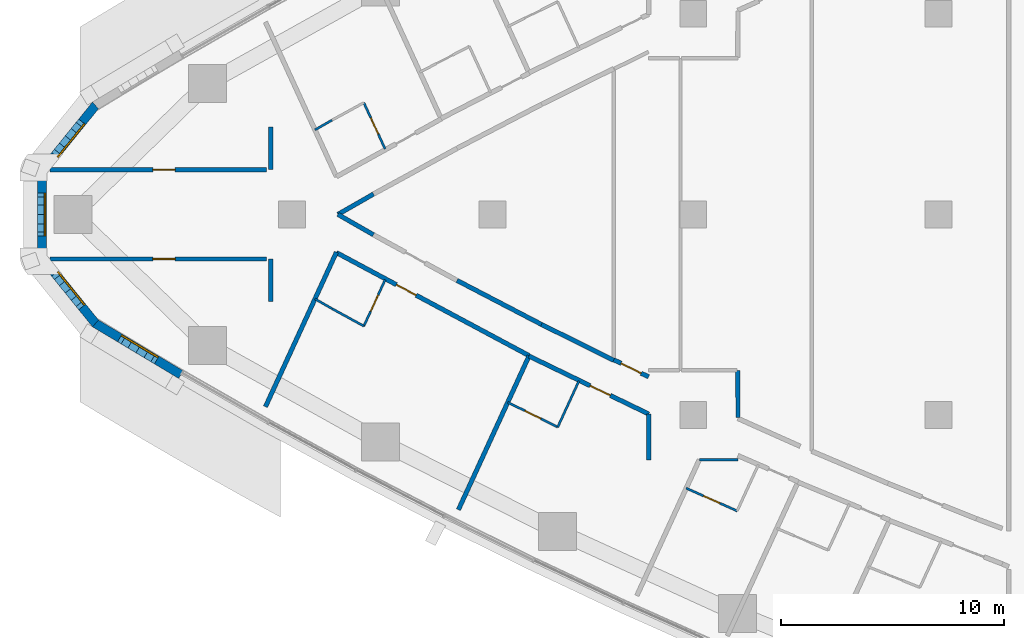
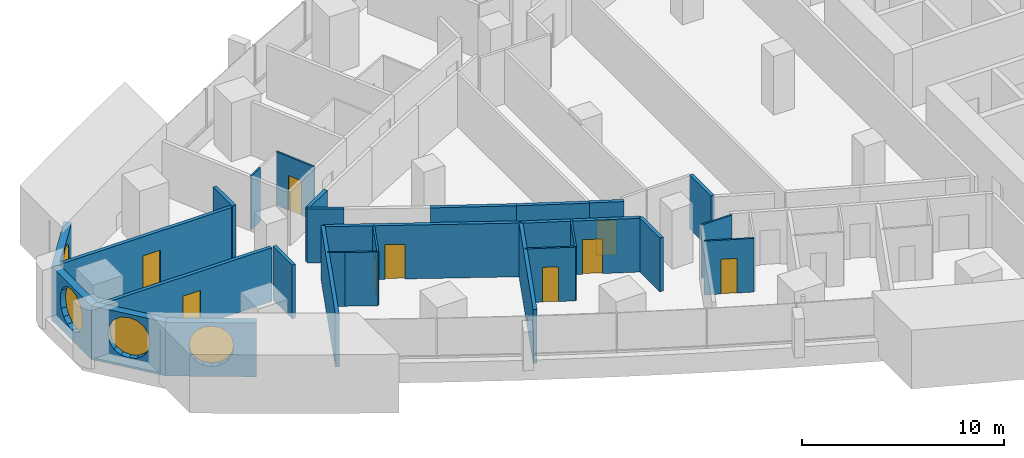
# One storey, part 8 of 17: 28 walls, 9 doors, 4 windows, 13 openings.
"""IFC4 building model written with IfcOpenShell, lengths in metres."""

from ifc_helpers import new_model, si_unit, direction, frame, frame_2d, origin, place, context, subcontext, project, spatial, polyline, rectangle, outline, extrude, material, layer, layer_set, type_object, element, fill, save


model = new_model("IFC4")

# Units and contexts
model_context = context("Model", 3, precision=1e-05, world=origin(), true_north=direction((0.0, 1.0)))
body_context = subcontext(model_context, "Body", "Model", "MODEL_VIEW")
ifc_project = project(units=[si_unit("LENGTHUNIT", "METRE"), si_unit("AREAUNIT", "SQUARE_METRE"), si_unit("VOLUMEUNIT", "CUBIC_METRE"), si_unit("PLANEANGLEUNIT", "RADIAN"), si_unit("MASSUNIT", "GRAM", prefix="KILO")], contexts=[model_context])

# Site, building, storey
site_placement = place(None, origin())
site = spatial("IfcSite", under=ifc_project, at=site_placement, CompositionType="ELEMENT")
building_placement = place(site_placement, origin())
building = spatial("IfcBuilding", under=site, at=building_placement, Name="Ostrand Prow Hotel Tower", CompositionType="ELEMENT")
storey_placement = place(building_placement, frame((0.0, 0.0, 84.89990234375)))
storey = spatial("IfcBuildingStorey", under=building, at=storey_placement, Name="L19", CompositionType="ELEMENT", Elevation=84.89990234375)

# Wall
ifc_material_1 = material(Name="Plasterboard partition")
ifc_layer_1 = layer(ifc_material_1, 0.10009765625)
ifc_layer_set_1 = layer_set([ifc_layer_1], Name="Plasterboard partition")
wall_type_1 = type_object("IfcWallType", Name="Partition 100 bathroom wall", PredefinedType="PARTITIONING", material=ifc_layer_set_1)
wall_1_placement = place(storey_placement, frame((17.0361328125, 3.7900390625, 0.0), z_axis=(0.0, 0.0, 1.0), x_axis=(0.867629162742, 0.497211862248, 0.0)))
element("IfcWall", 1, at=wall_1_placement, inside=storey, type_object=wall_type_1, Name="BATHROOM WALL", PredefinedType="PARTITIONING", context=body_context, shape_type="SweptSolid", body=[
    extrude(rectangle(XDim=0.8818359375, YDim=0.10009765625, at=frame_2d((0.44091796875, 0.0))), origin(), (0.0, 0.0, 1.0), 3.25),
])

# Wall, opening, door
wall_2_placement = place(storey_placement, frame((19.2275390625, 5.00830078125, 0.0), z_axis=(0.0, 0.0, 1.0), x_axis=(0.417450047292, -0.908699872354, 0.0)))
wall_2 = element("IfcWall", 2, at=wall_2_placement, inside=storey, type_object=wall_type_1, Name="BATHROOM WALL", PredefinedType="PARTITIONING", context=body_context, shape_type="SweptSolid", body=[
    extrude(rectangle(XDim=2.28271484375, YDim=0.10009765625, at=frame_2d((1.141357421875, 0.0))), origin(), (0.0, 0.0, 1.0), 3.25),
])
opening_1_placement = place(wall_2_placement, frame((0.75, 0.0, 0.0)))
opening_1 = element("IfcOpeningElement", 3, at=opening_1_placement, cuts=wall_2, Name="Opening D2", PredefinedType="OPENING", context=body_context, shape_type="SweptSolid", body=[
    extrude(rectangle(XDim=0.800048828125, YDim=2.10009765625, at=frame_2d((0.39990234375, 1.050048828125))), frame((0.0, 0.06005859375, 0.0), z_axis=(0.0, -1.0, 0.0), x_axis=(1.0, 0.0, 0.0)), (0.0, 0.0, 1.0), 0.1201171875),
])
ifc_material_2 = material(Name="Timber door leaf", Category="wood")
door_type_1 = type_object("IfcDoorType", Name="Bathroom door 800", OperationType="SINGLE_SWING_LEFT", PredefinedType="DOOR", material=ifc_material_2)
door_1_placement = place(opening_1_placement, origin())
door_1 = element("IfcDoor", 4, at=door_1_placement, inside=storey, type_object=door_type_1, Name="DOOR", OperationType="SINGLE_SWING_LEFT", OverallHeight=2.10009765625, OverallWidth=0.800048828125, PredefinedType="DOOR", context=body_context, shape_type="SweptSolid", body=[
    extrude(rectangle(XDim=0.800048828125, YDim=2.10009765625, at=frame_2d((0.39990234375, 1.050048828125))), frame((0.0, 0.02490234375, 0.0), z_axis=(0.0, -1.0, 0.0), x_axis=(1.0, 0.0, 0.0)), (0.0, 0.0, 1.0), 0.050048828125),
])
fill(opening_1, door_1)

wall_3_placement = place(storey_placement, frame((20.180419921875, -2.93408203125, 0.0), z_axis=(0.0, 0.0, 1.0), x_axis=(-0.417450047292, -0.908699872354, 0.0)))
wall_3 = element("IfcWall", 5, at=wall_3_placement, inside=storey, type_object=wall_type_1, Name="BATHROOM WALL", PredefinedType="PARTITIONING", context=body_context, shape_type="SweptSolid", body=[
    extrude(rectangle(XDim=2.28271484375, YDim=0.10009765625, at=frame_2d((1.141357421875, 0.0))), origin(), (0.0, 0.0, 1.0), 3.25),
])
opening_2_placement = place(wall_3_placement, frame((0.75, 0.0, 0.0)))
opening_2 = element("IfcOpeningElement", 6, at=opening_2_placement, cuts=wall_3, Name="Opening D2", PredefinedType="OPENING", context=body_context, shape_type="SweptSolid", body=[
    extrude(rectangle(XDim=0.800048828125, YDim=2.10009765625, at=frame_2d((0.39990234375, 1.050048828125))), frame((0.0, 0.06005859375, 0.0), z_axis=(0.0, -1.0, 0.0), x_axis=(1.0, 0.0, 0.0)), (0.0, 0.0, 1.0), 0.1201171875),
])
door_2_placement = place(opening_2_placement, origin())
door_2 = element("IfcDoor", 7, at=door_2_placement, inside=storey, type_object=door_type_1, Name="DOOR", OperationType="SINGLE_SWING_LEFT", OverallHeight=2.10009765625, OverallWidth=0.800048828125, PredefinedType="DOOR", context=body_context, shape_type="SweptSolid", body=[
    extrude(rectangle(XDim=0.800048828125, YDim=2.10009765625, at=frame_2d((0.39990234375, 1.050048828125))), frame((0.0, 0.02490234375, 0.0), z_axis=(0.0, -1.0, 0.0), x_axis=(1.0, 0.0, 0.0)), (0.0, 0.0, 1.0), 0.050048828125),
])
fill(opening_2, door_2)

# Walls
wall_4_placement = place(storey_placement, frame((19.2275390625, -5.00830078125, 0.0), z_axis=(0.0, 0.0, 1.0), x_axis=(-0.877424481957, 0.479714788663, 0.0)))
element("IfcWall", 8, at=wall_4_placement, inside=storey, type_object=wall_type_1, Name="BATHROOM WALL", PredefinedType="PARTITIONING", context=body_context, shape_type="SweptSolid", body=[
    extrude(rectangle(XDim=1.62548828125, YDim=0.10009765625, at=frame_2d((0.812744140625, 0.0))), origin(), (0.0, 0.0, 1.0), 3.25),
])
wall_5_placement = place(storey_placement, frame((17.80126953125, -4.228515625, 0.0), z_axis=(0.0, 0.0, 1.0), x_axis=(-0.867629162742, 0.497211862248, 0.0)))
element("IfcWall", 9, at=wall_5_placement, inside=storey, type_object=wall_type_1, Name="BATHROOM WALL", PredefinedType="PARTITIONING", context=body_context, shape_type="SweptSolid", body=[
    extrude(rectangle(XDim=0.8818359375, YDim=0.10009765625, at=frame_2d((0.44091796875, 0.0))), origin(), (0.0, 0.0, 1.0), 3.25),
])
wall_6_placement = place(storey_placement, frame((28.87255859375, -7.466552734375, 0.0), z_axis=(0.0, 0.0, 1.0), x_axis=(-0.417433204355, -0.908707609686, 0.0)))
element("IfcWall", 10, at=wall_6_placement, inside=storey, type_object=wall_type_1, Name="BATHROOM WALL", PredefinedType="PARTITIONING", context=body_context, shape_type="SweptSolid", body=[
    extrude(rectangle(XDim=2.278076171875, YDim=0.10009765625, at=frame_2d((1.13916015625, 0.0))), origin(), (0.0, 0.0, 1.0), 3.25),
])

# Wall, opening, door
wall_7_placement = place(storey_placement, frame((27.921630859375, -9.53662109375, 0.0), z_axis=(0.0, 0.0, 1.0), x_axis=(-0.895944857815, 0.444165297784, 0.0)))
wall_7 = element("IfcWall", 11, at=wall_7_placement, inside=storey, type_object=wall_type_1, Name="BATHROOM WALL", PredefinedType="PARTITIONING", context=body_context, shape_type="SweptSolid", body=[
    extrude(rectangle(XDim=2.5009765625, YDim=0.10009765625, at=frame_2d((1.25048828125, 0.0))), origin(), (0.0, 0.0, 1.0), 3.25),
])
opening_3_placement = place(wall_7_placement, frame((0.85009765625, 0.0, 0.0)))
opening_3 = element("IfcOpeningElement", 12, at=opening_3_placement, cuts=wall_7, Name="Opening D2", PredefinedType="OPENING", context=body_context, shape_type="SweptSolid", body=[
    extrude(rectangle(XDim=0.800048828125, YDim=2.10009765625, at=frame_2d((0.39990234375, 1.050048828125))), frame((0.0, 0.06005859375, 0.0), z_axis=(0.0, -1.0, 0.0), x_axis=(1.0, 0.0, 0.0)), (0.0, 0.0, 1.0), 0.1201171875),
])
door_3_placement = place(opening_3_placement, origin())
door_3 = element("IfcDoor", 13, at=door_3_placement, inside=storey, type_object=door_type_1, Name="DOOR", OperationType="SINGLE_SWING_LEFT", OverallHeight=2.10009765625, OverallWidth=0.800048828125, PredefinedType="DOOR", context=body_context, shape_type="SweptSolid", body=[
    extrude(rectangle(XDim=0.800048828125, YDim=2.10009765625, at=frame_2d((0.39990234375, 1.050048828125))), frame((0.0, 0.02490234375, 0.0), z_axis=(0.0, -1.0, 0.0), x_axis=(1.0, 0.0, 0.0)), (0.0, 0.0, 1.0), 0.050048828125),
])
fill(opening_3, door_3)

wall_8_placement = place(storey_placement, frame((35.966552734375, -13.296875, 0.0), z_axis=(0.0, 0.0, 1.0), x_axis=(-0.913016449487, 0.407922741417, 0.0)))
wall_8 = element("IfcWall", 14, at=wall_8_placement, inside=storey, type_object=wall_type_1, Name="BATHROOM WALL", PredefinedType="PARTITIONING", context=body_context, shape_type="SweptSolid", body=[
    extrude(rectangle(XDim=2.5, YDim=0.10009765625, at=frame_2d((1.25, 0.0))), origin(), (0.0, 0.0, 1.0), 3.25),
])
opening_4_placement = place(wall_8_placement, frame((0.85009765625, 0.0, 0.0)))
opening_4 = element("IfcOpeningElement", 15, at=opening_4_placement, cuts=wall_8, Name="Opening D2", PredefinedType="OPENING", context=body_context, shape_type="SweptSolid", body=[
    extrude(rectangle(XDim=0.800048828125, YDim=2.10009765625, at=frame_2d((0.39990234375, 1.050048828125))), frame((0.0, 0.06005859375, 0.0), z_axis=(0.0, -1.0, 0.0), x_axis=(1.0, 0.0, 0.0)), (0.0, 0.0, 1.0), 0.1201171875),
])
door_4_placement = place(opening_4_placement, origin())
door_4 = element("IfcDoor", 16, at=door_4_placement, inside=storey, type_object=door_type_1, Name="DOOR", OperationType="SINGLE_SWING_LEFT", OverallHeight=2.10009765625, OverallWidth=0.800048828125, PredefinedType="DOOR", context=body_context, shape_type="SweptSolid", body=[
    extrude(rectangle(XDim=0.800048828125, YDim=2.10009765625, at=frame_2d((0.39990234375, 1.050048828125))), frame((0.0, 0.02490234375, 0.0), z_axis=(0.0, -1.0, 0.0), x_axis=(1.0, 0.0, 0.0)), (0.0, 0.0, 1.0), 0.050048828125),
])
fill(opening_4, door_4)

# Wall
wall_9_placement = place(storey_placement, frame((34.268310546875, -11.0048828125, 0.0), z_axis=(0.0, 0.0, 1.0), x_axis=(1.0, 0.0, 0.0)))
element("IfcWall", 17, at=wall_9_placement, inside=storey, type_object=wall_type_1, Name="BATHROOM WALL", PredefinedType="PARTITIONING", context=body_context, shape_type="SweptSolid", body=[
    extrude(rectangle(XDim=1.732177734375, YDim=0.10009765625, at=frame_2d((0.8662109375, 0.0))), origin(), (0.0, 0.0, 1.0), 3.25),
])

# Wall, opening, door
ifc_material_3 = material(Name="Plasterboard partition")
ifc_layer_2 = layer(ifc_material_3, 0.199951171875)
ifc_layer_set_2 = layer_set([ifc_layer_2], Name="Plasterboard partition")
wall_type_2 = type_object("IfcWallType", Name="Partition 200 corridor wall", PredefinedType="PARTITIONING", material=ifc_layer_set_2)
wall_10_placement = place(storey_placement, frame((5.144775390625, 2.0, 0.0), z_axis=(0.0, 0.0, 1.0), x_axis=(1.0, 0.0, 0.0)))
wall_10 = element("IfcWall", 18, at=wall_10_placement, inside=storey, type_object=wall_type_2, Name="CORRIDOR WALL", PredefinedType="PARTITIONING", context=body_context, shape_type="SweptSolid", body=[
    extrude(rectangle(XDim=9.708984375, YDim=0.199951171875, at=frame_2d((4.8544921875, 0.0))), origin(), (0.0, 0.0, 1.0), 3.25),
])
opening_5_placement = place(wall_10_placement, frame((4.624755859375, 0.0, 0.0)))
opening_5 = element("IfcOpeningElement", 19, at=opening_5_placement, cuts=wall_10, Name="Opening D1", PredefinedType="OPENING", context=body_context, shape_type="SweptSolid", body=[
    extrude(rectangle(XDim=1.0, YDim=2.10009765625, at=frame_2d((0.5, 1.050048828125))), frame((0.0, 0.10986328125, 0.0), z_axis=(0.0, -1.0, 0.0), x_axis=(1.0, 0.0, 0.0)), (0.0, 0.0, 1.0), 0.219970703125),
])
ifc_material_4 = material(Name="Timber door leaf", Category="wood")
door_type_2 = type_object("IfcDoorType", Name="Guest room door 1000", OperationType="SINGLE_SWING_LEFT", PredefinedType="DOOR", material=ifc_material_4)
door_5_placement = place(opening_5_placement, origin())
door_5 = element("IfcDoor", 20, at=door_5_placement, inside=storey, type_object=door_type_2, Name="DOOR", OperationType="SINGLE_SWING_LEFT", OverallHeight=2.10009765625, OverallWidth=1.0, PredefinedType="DOOR", context=body_context, shape_type="SweptSolid", body=[
    extrude(rectangle(XDim=1.0, YDim=2.10009765625, at=frame_2d((0.5, 1.050048828125))), frame((0.0, 0.02490234375, 0.0), z_axis=(0.0, -1.0, 0.0), x_axis=(1.0, 0.0, 0.0)), (0.0, 0.0, 1.0), 0.050048828125),
])
fill(opening_5, door_5)

wall_11_placement = place(storey_placement, frame((5.144775390625, -2.0, 0.0), z_axis=(0.0, 0.0, 1.0), x_axis=(1.0, 0.0, 0.0)))
wall_11 = element("IfcWall", 21, at=wall_11_placement, inside=storey, type_object=wall_type_2, Name="CORRIDOR WALL", PredefinedType="PARTITIONING", context=body_context, shape_type="SweptSolid", body=[
    extrude(rectangle(XDim=9.708984375, YDim=0.199951171875, at=frame_2d((4.8544921875, 0.0))), origin(), (0.0, 0.0, 1.0), 3.25),
])
opening_6_placement = place(wall_11_placement, frame((4.624755859375, 0.0, 0.0)))
opening_6 = element("IfcOpeningElement", 22, at=opening_6_placement, cuts=wall_11, Name="Opening D1R", PredefinedType="OPENING", context=body_context, shape_type="SweptSolid", body=[
    extrude(rectangle(XDim=1.0, YDim=2.10009765625, at=frame_2d((0.5, 1.050048828125))), frame((0.0, 0.10986328125, 0.0), z_axis=(0.0, -1.0, 0.0), x_axis=(1.0, 0.0, 0.0)), (0.0, 0.0, 1.0), 0.219970703125),
])
ifc_material_5 = material(Name="Timber door leaf", Category="wood")
door_type_3 = type_object("IfcDoorType", Name="Guest room door 1000 right", OperationType="SINGLE_SWING_RIGHT", PredefinedType="DOOR", material=ifc_material_5)
door_6_placement = place(opening_6_placement, origin())
door_6 = element("IfcDoor", 23, at=door_6_placement, inside=storey, type_object=door_type_3, Name="DOOR", OperationType="SINGLE_SWING_RIGHT", OverallHeight=2.10009765625, OverallWidth=1.0, PredefinedType="DOOR", context=body_context, shape_type="SweptSolid", body=[
    extrude(rectangle(XDim=1.0, YDim=2.10009765625, at=frame_2d((0.5, 1.050048828125))), frame((0.0, 0.02490234375, 0.0), z_axis=(0.0, -1.0, 0.0), x_axis=(1.0, 0.0, 0.0)), (0.0, 0.0, 1.0), 0.050048828125),
])
fill(opening_6, door_6)

wall_12_placement = place(storey_placement, frame((18.0, -1.714599609375, 0.0), z_axis=(0.0, 0.0, 1.0), x_axis=(0.881859333365, -0.471512583244, 0.0)))
wall_12 = element("IfcWall", 24, at=wall_12_placement, inside=storey, type_object=wall_type_2, Name="CORRIDOR WALL", PredefinedType="PARTITIONING", context=body_context, shape_type="SweptSolid", body=[
    extrude(rectangle(XDim=9.799072265625, YDim=0.199951171875, at=frame_2d((4.8994140625, 0.0))), origin(), (0.0, 0.0, 1.0), 3.25),
])
opening_7_placement = place(wall_12_placement, frame((3.050048828125, 0.0, 0.0)))
opening_7 = element("IfcOpeningElement", 25, at=opening_7_placement, cuts=wall_12, Name="Opening D1", PredefinedType="OPENING", context=body_context, shape_type="SweptSolid", body=[
    extrude(rectangle(XDim=1.0, YDim=2.10009765625, at=frame_2d((0.5, 1.050048828125))), frame((0.0, 0.10986328125, 0.0), z_axis=(0.0, -1.0, 0.0), x_axis=(1.0, 0.0, 0.0)), (0.0, 0.0, 1.0), 0.219970703125),
])
door_7_placement = place(opening_7_placement, origin())
door_7 = element("IfcDoor", 26, at=door_7_placement, inside=storey, type_object=door_type_2, Name="DOOR", OperationType="SINGLE_SWING_LEFT", OverallHeight=2.10009765625, OverallWidth=1.0, PredefinedType="DOOR", context=body_context, shape_type="SweptSolid", body=[
    extrude(rectangle(XDim=1.0, YDim=2.10009765625, at=frame_2d((0.5, 1.050048828125))), frame((0.0, 0.02490234375, 0.0), z_axis=(0.0, -1.0, 0.0), x_axis=(1.0, 0.0, 0.0)), (0.0, 0.0, 1.0), 0.050048828125),
])
fill(opening_7, door_7)

wall_13_placement = place(storey_placement, frame((26.6328125, -6.35302734375, 0.0), z_axis=(0.0, 0.0, 1.0), x_axis=(0.900101763883, -0.435679715679, 0.0)))
wall_13 = element("IfcWall", 27, at=wall_13_placement, inside=storey, type_object=wall_type_2, Name="CORRIDOR WALL", PredefinedType="PARTITIONING", context=body_context, shape_type="SweptSolid", body=[
    extrude(rectangle(XDim=5.962890625, YDim=0.199951171875, at=frame_2d((2.9814453125, 0.0))), origin(), (0.0, 0.0, 1.0), 3.25),
])
opening_8_placement = place(wall_13_placement, frame((3.050048828125, 0.0, 0.0)))
opening_8 = element("IfcOpeningElement", 28, at=opening_8_placement, cuts=wall_13, Name="Opening D1", PredefinedType="OPENING", context=body_context, shape_type="SweptSolid", body=[
    extrude(rectangle(XDim=1.0, YDim=2.10009765625, at=frame_2d((0.5, 1.050048828125))), frame((0.0, 0.10986328125, 0.0), z_axis=(0.0, -1.0, 0.0), x_axis=(1.0, 0.0, 0.0)), (0.0, 0.0, 1.0), 0.219970703125),
])
door_8_placement = place(opening_8_placement, origin())
door_8 = element("IfcDoor", 29, at=door_8_placement, inside=storey, type_object=door_type_2, Name="DOOR", OperationType="SINGLE_SWING_LEFT", OverallHeight=2.10009765625, OverallWidth=1.0, PredefinedType="DOOR", context=body_context, shape_type="SweptSolid", body=[
    extrude(rectangle(XDim=1.0, YDim=2.10009765625, at=frame_2d((0.5, 1.050048828125))), frame((0.0, 0.02490234375, 0.0), z_axis=(0.0, -1.0, 0.0), x_axis=(1.0, 0.0, 0.0)), (0.0, 0.0, 1.0), 0.050048828125),
])
fill(opening_8, door_8)

# Walls
wall_14_placement = place(storey_placement, frame((30.4296875, -6.53857421875, 0.0), z_axis=(0.0, 0.0, 1.0), x_axis=(-0.895964304417, 0.44412606905, 0.0)))
element("IfcWall", 30, at=wall_14_placement, inside=storey, type_object=wall_type_2, Name="CORRIDOR WALL", PredefinedType="PARTITIONING", context=body_context, shape_type="SweptSolid", body=[
    extrude(rectangle(XDim=3.60888671875, YDim=0.199951171875, at=frame_2d((1.804443359375, 0.0))), origin(), (0.0, 0.0, 1.0), 3.25),
])
wall_15_placement = place(storey_placement, frame((27.1962890625, -4.935791015625, 0.0), z_axis=(0.0, 0.0, 1.0), x_axis=(-0.886899452904, 0.461962509775, 0.0)))
element("IfcWall", 31, at=wall_15_placement, inside=storey, type_object=wall_type_2, Name="CORRIDOR WALL", PredefinedType="PARTITIONING", context=body_context, shape_type="SweptSolid", body=[
    extrude(rectangle(XDim=4.272705078125, YDim=0.199951171875, at=frame_2d((2.13623046875, 0.0))), origin(), (0.0, 0.0, 1.0), 3.25),
])
for number, where, z_axis, x_axis, name in (
    (32, (19.6572265625, -0.912353515625, 0.0), (0.0, 0.0, 1.0), (-0.867694156962, 0.49709843087, 0.0), "CORRIDOR WALL"),
    (33, (18.064697265625, 0.0, 0.0), (0.0, 0.0, 1.0), (0.867694156962, 0.49709843087, 0.0), "CORRIDOR WALL"),
):
    element("IfcWall", number, at=place(storey_placement, frame(where, z_axis=z_axis, x_axis=x_axis)), inside=storey, type_object=wall_type_2, Name=name, PredefinedType="PARTITIONING", context=body_context, shape_type="SweptSolid", body=[
        extrude(rectangle(XDim=1.83544921875, YDim=0.199951171875, at=frame_2d((0.917724609375, 0.0))), origin(), (0.0, 0.0, 1.0), 3.25),
    ])

# Wall, opening, door
wall_16_placement = place(storey_placement, frame((31.9951171875, -7.284912109375, 0.0), z_axis=(0.0, 0.0, 1.0), x_axis=(-0.897771601508, 0.440461294015, 0.0)))
wall_16 = element("IfcWall", 34, at=wall_16_placement, inside=storey, type_object=wall_type_2, Name="CORRIDOR WALL", PredefinedType="PARTITIONING", context=body_context, shape_type="SweptSolid", body=[
    extrude(rectangle(XDim=1.73876953125, YDim=0.199951171875, at=frame_2d((0.869384765625, 0.0))), origin(), (0.0, 0.0, 1.0), 3.25),
])
opening_9_placement = place(wall_16_placement, frame((0.369384765625, 0.0, 0.0)))
opening_9 = element("IfcOpeningElement", 35, at=opening_9_placement, cuts=wall_16, Name="Opening D1", PredefinedType="OPENING", context=body_context, shape_type="SweptSolid", body=[
    extrude(rectangle(XDim=1.0, YDim=2.10009765625, at=frame_2d((0.5, 1.050048828125))), frame((0.0, 0.10986328125, 0.0), z_axis=(0.0, -1.0, 0.0), x_axis=(1.0, 0.0, 0.0)), (0.0, 0.0, 1.0), 0.219970703125),
])
door_9_placement = place(opening_9_placement, origin())
door_9 = element("IfcDoor", 36, at=door_9_placement, inside=storey, type_object=door_type_2, Name="DOOR", OperationType="SINGLE_SWING_LEFT", OverallHeight=2.10009765625, OverallWidth=1.0, PredefinedType="DOOR", context=body_context, shape_type="SweptSolid", body=[
    extrude(rectangle(XDim=1.0, YDim=2.10009765625, at=frame_2d((0.5, 1.050048828125))), frame((0.0, 0.02490234375, 0.0), z_axis=(0.0, -1.0, 0.0), x_axis=(1.0, 0.0, 0.0)), (0.0, 0.0, 1.0), 0.050048828125),
])
fill(opening_9, door_9)

# Walls
wall_17_placement = place(storey_placement, frame((36.0048828125, -9.110107421875, 0.0), z_axis=(0.0, 0.0, 1.0), x_axis=(-0.001039260409, 0.999999459969, 0.0)))
element("IfcWall", 37, at=wall_17_placement, inside=storey, type_object=wall_type_2, Name="CORRIDOR WALL", PredefinedType="PARTITIONING", context=body_context, shape_type="SweptSolid", body=[
    extrude(rectangle(XDim=2.1142578125, YDim=0.199951171875, at=frame_2d((1.05712890625, 0.0))), origin(), (0.0, 0.0, 1.0), 3.25),
])
wall_18_placement = place(storey_placement, frame((15.0537109375, 3.90869140625, 0.0), z_axis=(0.0, 0.0, 1.0), x_axis=(0.0, -1.0, 0.0)))
element("IfcWall", 38, at=wall_18_placement, inside=storey, type_object=wall_type_2, Name="CORRIDOR WALL", PredefinedType="PARTITIONING", context=body_context, shape_type="SweptSolid", body=[
    extrude(rectangle(XDim=1.90380859375, YDim=0.199951171875, at=frame_2d((0.951904296875, 0.0))), origin(), (0.0, 0.0, 1.0), 3.25),
])
wall_19_placement = place(storey_placement, frame((15.0537109375, -2.0048828125, 0.0), z_axis=(0.0, 0.0, 1.0), x_axis=(0.0, -1.0, 0.0)))
element("IfcWall", 39, at=wall_19_placement, inside=storey, type_object=wall_type_2, Name="CORRIDOR WALL", PredefinedType="PARTITIONING", context=body_context, shape_type="SweptSolid", body=[
    extrude(rectangle(XDim=1.908447265625, YDim=0.199951171875, at=frame_2d((0.9541015625, 0.0))), origin(), (0.0, 0.0, 1.0), 3.25),
])
wall_20_placement = place(storey_placement, frame((32.0, -8.950927734375, 0.0), z_axis=(0.0, 0.0, 1.0), x_axis=(-0.001307965587, -0.999999144613, 0.0)))
element("IfcWall", 40, at=wall_20_placement, inside=storey, type_object=wall_type_2, Name="CORRIDOR WALL", PredefinedType="PARTITIONING", context=body_context, shape_type="SweptSolid", body=[
    extrude(rectangle(XDim=2.05322265625, YDim=0.199951171875, at=frame_2d((1.026611328125, 0.0))), origin(), (0.0, 0.0, 1.0), 3.25),
])
ifc_material_6 = material(Name="Plasterboard partition")
ifc_layer_3 = layer(ifc_material_6, 0.199951171875)
ifc_layer_set_3 = layer_set([ifc_layer_3], Name="Plasterboard partition")
wall_type_3 = type_object("IfcWallType", Name="Partition 200 key partition", PredefinedType="PARTITIONING", material=ifc_layer_set_3)
wall_21_placement = place(storey_placement, frame((14.814697265625, -8.625732421875, 0.0), z_axis=(0.0, 0.0, 1.0), x_axis=(0.417432341259, 0.908708006166, 0.0)))
element("IfcWall", 41, at=wall_21_placement, inside=storey, type_object=wall_type_3, Name="KEY PARTITION", PredefinedType="PARTITIONING", context=body_context, shape_type="SweptSolid", body=[
    extrude(rectangle(XDim=7.630615234375, YDim=0.199951171875, at=frame_2d((3.8154296875, 0.0))), origin(), (0.0, 0.0, 1.0), 3.25),
])
wall_22_placement = place(storey_placement, frame((23.46728515625, -13.244140625, 0.0), z_axis=(0.0, 0.0, 1.0), x_axis=(0.417455028008, 0.908697584233, 0.0)))
element("IfcWall", 42, at=wall_22_placement, inside=storey, type_object=wall_type_3, Name="KEY PARTITION", PredefinedType="PARTITIONING", context=body_context, shape_type="SweptSolid", body=[
    extrude(rectangle(XDim=7.603271484375, YDim=0.199951171875, at=frame_2d((3.8017578125, 0.0))), origin(), (0.0, 0.0, 1.0), 3.25),
])

# Wall, opening, window
ifc_material_7 = material(Name="Precast concrete C40/50", Category="concrete")
ifc_layer_4 = layer(ifc_material_7, 0.39990234375)
ifc_layer_set_4 = layer_set([ifc_layer_4], Name="Precast concrete C40/50")
wall_type_4 = type_object("IfcWallType", Name="Stone-faced precast wall 400 mm", PredefinedType="NOTDEFINED", material=ifc_layer_set_4)
wall_23_placement = place(storey_placement, frame((7.1943359375, 4.8876953125, 0.0), z_axis=(0.0, 0.0, 1.0), x_axis=(-0.62903486133, -0.777377092042, 0.0)))
wall_23 = element("IfcWall", 43, at=wall_23_placement, inside=storey, type_object=wall_type_4, Name="Stone-faced wall prow 2", PredefinedType="NOTDEFINED", context=body_context, shape_type="SweptSolid", body=[
    extrude(outline(polyline([(-0.035400390625, -0.199951171875), (3.897216796875, -0.199951171875), (3.755615234375, 0.199951171875), (0.035400390625, 0.199951171875), (-0.035400390625, -0.199951171875)])), origin(), (0.0, 0.0, 1.0), 3.25),
])
opening_10_placement = place(wall_23_placement, frame((0.813232421875, 0.0, 0.60009765625)))
opening_10 = element("IfcOpeningElement", 44, at=opening_10_placement, cuts=wall_23, Name="Opening WP1", PredefinedType="OPENING", context=body_context, shape_type="SweptSolid", body=[
    extrude(outline(polyline([(0.0, 1.35009765625), (0.083740234375, 1.77099609375), (0.322265625, 2.127685546875), (0.678955078125, 2.3662109375), (1.10009765625, 2.449951171875), (1.52099609375, 2.3662109375), (1.877685546875, 2.127685546875), (2.1162109375, 1.77099609375), (2.199951171875, 1.35009765625), (2.199951171875, 1.10009765625), (2.1162109375, 0.678955078125), (1.877685546875, 0.322265625), (1.52099609375, 0.083740234375), (1.10009765625, 0.0), (0.678955078125, 0.083740234375), (0.322265625, 0.322265625), (0.083740234375, 0.678955078125), (0.0, 1.099853515625), (0.0, 1.35009765625)])), frame((0.0, 0.2099609375, 0.0), z_axis=(0.0, -1.0, 0.0), x_axis=(1.0, 0.0, 0.0)), (0.0, 0.0, 1.0), 0.419921875),
])
ifc_material_8 = material(Name="Insulated glass in bronze frame", Category="glass")
window_type = type_object("IfcWindowType", Name="Round-ended prow window 2200x2450", PartitioningType="SINGLE_PANEL", PredefinedType="WINDOW", material=ifc_material_8)
window_1_placement = place(opening_10_placement, origin())
window_1 = element("IfcWindow", 45, at=window_1_placement, inside=storey, type_object=window_type, Name="Window prow 2.1", OverallHeight=2.449951171875, OverallWidth=2.199951171875, PartitioningType="SINGLE_PANEL", PredefinedType="WINDOW", context=body_context, shape_type="SweptSolid", body=[
    extrude(outline(polyline([(0.0, 1.35009765625), (0.083740234375, 1.77099609375), (0.322265625, 2.127685546875), (0.678955078125, 2.3662109375), (1.10009765625, 2.449951171875), (1.52099609375, 2.3662109375), (1.877685546875, 2.127685546875), (2.1162109375, 1.77099609375), (2.199951171875, 1.35009765625), (2.199951171875, 1.10009765625), (2.1162109375, 0.678955078125), (1.877685546875, 0.322265625), (1.52099609375, 0.083740234375), (1.10009765625, 0.0), (0.678955078125, 0.083740234375), (0.322265625, 0.322265625), (0.083740234375, 0.678955078125), (0.0, 1.099853515625), (0.0, 1.35009765625)])), frame((0.0, 0.169921875, 0.0), z_axis=(0.0, -1.0, 0.0), x_axis=(1.0, 0.0, 0.0)), (0.0, 0.0, 1.0), 0.06005859375),
])
fill(opening_10, window_1)

wall_24_placement = place(storey_placement, frame((4.787353515625, 1.9130859375, 0.0), z_axis=(0.0, 0.0, 1.0), x_axis=(0.0, -1.0, 0.0)))
wall_24 = element("IfcWall", 46, at=wall_24_placement, inside=storey, type_object=wall_type_4, Name="Stone-faced wall prow 3", PredefinedType="NOTDEFINED", context=body_context, shape_type="SweptSolid", body=[
    extrude(outline(polyline([(-0.07080078125, -0.199951171875), (3.89697265625, -0.199951171875), (3.75537109375, 0.199951171875), (0.07080078125, 0.199951171875), (-0.07080078125, -0.199951171875)])), origin(), (0.0, 0.0, 1.0), 3.25),
])
opening_11_placement = place(wall_24_placement, frame((0.813232421875, 0.0, 0.60009765625)))
opening_11 = element("IfcOpeningElement", 47, at=opening_11_placement, cuts=wall_24, Name="Opening WP1", PredefinedType="OPENING", context=body_context, shape_type="SweptSolid", body=[
    extrude(outline(polyline([(0.0, 1.35009765625), (0.083740234375, 1.77099609375), (0.322265625, 2.127685546875), (0.678955078125, 2.3662109375), (1.10009765625, 2.449951171875), (1.52099609375, 2.3662109375), (1.877685546875, 2.127685546875), (2.1162109375, 1.77099609375), (2.199951171875, 1.35009765625), (2.199951171875, 1.10009765625), (2.1162109375, 0.678955078125), (1.877685546875, 0.322265625), (1.52099609375, 0.083740234375), (1.10009765625, 0.0), (0.678955078125, 0.083740234375), (0.322265625, 0.322265625), (0.083740234375, 0.678955078125), (0.0, 1.099853515625), (0.0, 1.35009765625)])), frame((0.0, 0.2099609375, 0.0), z_axis=(0.0, -1.0, 0.0), x_axis=(1.0, 0.0, 0.0)), (0.0, 0.0, 1.0), 0.419921875),
])
window_2_placement = place(opening_11_placement, origin())
window_2 = element("IfcWindow", 48, at=window_2_placement, inside=storey, type_object=window_type, Name="Window prow 3.1", OverallHeight=2.449951171875, OverallWidth=2.199951171875, PartitioningType="SINGLE_PANEL", PredefinedType="WINDOW", context=body_context, shape_type="SweptSolid", body=[
    extrude(outline(polyline([(0.0, 1.35009765625), (0.083740234375, 1.77099609375), (0.322265625, 2.127685546875), (0.678955078125, 2.3662109375), (1.10009765625, 2.449951171875), (1.52099609375, 2.3662109375), (1.877685546875, 2.127685546875), (2.1162109375, 1.77099609375), (2.199951171875, 1.35009765625), (2.199951171875, 1.10009765625), (2.1162109375, 0.678955078125), (1.877685546875, 0.322265625), (1.52099609375, 0.083740234375), (1.10009765625, 0.0), (0.678955078125, 0.083740234375), (0.322265625, 0.322265625), (0.083740234375, 0.678955078125), (0.0, 1.099853515625), (0.0, 1.35009765625)])), frame((0.0, 0.169921875, 0.0), z_axis=(0.0, -1.0, 0.0), x_axis=(1.0, 0.0, 0.0)), (0.0, 0.0, 1.0), 0.06005859375),
])
fill(opening_11, window_2)

wall_25_placement = place(storey_placement, frame((4.787353515625, -1.9130859375, 0.0), z_axis=(0.0, 0.0, 1.0), x_axis=(0.62903486133, -0.777377092042, 0.0)))
wall_25 = element("IfcWall", 49, at=wall_25_placement, inside=storey, type_object=wall_type_4, Name="Stone-faced wall prow 4", PredefinedType="NOTDEFINED", context=body_context, shape_type="SweptSolid", body=[
    extrude(outline(polyline([(-0.07080078125, -0.199951171875), (3.86181640625, -0.199951171875), (3.791015625, 0.199951171875), (0.07080078125, 0.199951171875), (-0.07080078125, -0.199951171875)])), origin(), (0.0, 0.0, 1.0), 3.25),
])
opening_12_placement = place(wall_25_placement, frame((0.813232421875, 0.0, 0.60009765625)))
opening_12 = element("IfcOpeningElement", 50, at=opening_12_placement, cuts=wall_25, Name="Opening WP1", PredefinedType="OPENING", context=body_context, shape_type="SweptSolid", body=[
    extrude(outline(polyline([(0.0, 1.35009765625), (0.083740234375, 1.77099609375), (0.322265625, 2.127685546875), (0.678955078125, 2.3662109375), (1.10009765625, 2.449951171875), (1.52099609375, 2.3662109375), (1.877685546875, 2.127685546875), (2.1162109375, 1.77099609375), (2.199951171875, 1.35009765625), (2.199951171875, 1.10009765625), (2.1162109375, 0.678955078125), (1.877685546875, 0.322265625), (1.52099609375, 0.083740234375), (1.10009765625, 0.0), (0.678955078125, 0.083740234375), (0.322265625, 0.322265625), (0.083740234375, 0.678955078125), (0.0, 1.099853515625), (0.0, 1.35009765625)])), frame((0.0, 0.2099609375, 0.0), z_axis=(0.0, -1.0, 0.0), x_axis=(1.0, 0.0, 0.0)), (0.0, 0.0, 1.0), 0.419921875),
])
window_3_placement = place(opening_12_placement, origin())
window_3 = element("IfcWindow", 51, at=window_3_placement, inside=storey, type_object=window_type, Name="Window prow 4.1", OverallHeight=2.449951171875, OverallWidth=2.199951171875, PartitioningType="SINGLE_PANEL", PredefinedType="WINDOW", context=body_context, shape_type="SweptSolid", body=[
    extrude(outline(polyline([(0.0, 1.35009765625), (0.083740234375, 1.77099609375), (0.322265625, 2.127685546875), (0.678955078125, 2.3662109375), (1.10009765625, 2.449951171875), (1.52099609375, 2.3662109375), (1.877685546875, 2.127685546875), (2.1162109375, 1.77099609375), (2.199951171875, 1.35009765625), (2.199951171875, 1.10009765625), (2.1162109375, 0.678955078125), (1.877685546875, 0.322265625), (1.52099609375, 0.083740234375), (1.10009765625, 0.0), (0.678955078125, 0.083740234375), (0.322265625, 0.322265625), (0.083740234375, 0.678955078125), (0.0, 1.099853515625), (0.0, 1.35009765625)])), frame((0.0, 0.169921875, 0.0), z_axis=(0.0, -1.0, 0.0), x_axis=(1.0, 0.0, 0.0)), (0.0, 0.0, 1.0), 0.06005859375),
])
fill(opening_12, window_3)

wall_26_placement = place(storey_placement, frame((7.1943359375, -4.8876953125, 0.0), z_axis=(0.0, 0.0, 1.0), x_axis=(0.857550776474, -0.514399325202, 0.0)))
wall_26 = element("IfcWall", 52, at=wall_26_placement, inside=storey, type_object=wall_type_4, Name="Stone-faced wall prow 5", PredefinedType="NOTDEFINED", context=body_context, shape_type="SweptSolid", body=[
    extrude(outline(polyline([(-0.035400390625, -0.199951171875), (4.468017578125, -0.199951171875), (4.468017578125, 0.199951171875), (0.035400390625, 0.199951171875), (-0.035400390625, -0.199951171875)])), origin(), (0.0, 0.0, 1.0), 3.25),
])
opening_13_placement = place(wall_26_placement, frame((1.134033203125, 0.0, 0.60009765625)))
opening_13 = element("IfcOpeningElement", 53, at=opening_13_placement, cuts=wall_26, Name="Opening WP1", PredefinedType="OPENING", context=body_context, shape_type="SweptSolid", body=[
    extrude(outline(polyline([(0.0, 1.35009765625), (0.083740234375, 1.77099609375), (0.322265625, 2.127685546875), (0.678955078125, 2.3662109375), (1.10009765625, 2.449951171875), (1.52099609375, 2.3662109375), (1.877685546875, 2.127685546875), (2.1162109375, 1.77099609375), (2.199951171875, 1.35009765625), (2.199951171875, 1.10009765625), (2.1162109375, 0.678955078125), (1.877685546875, 0.322265625), (1.52099609375, 0.083740234375), (1.10009765625, 0.0), (0.678955078125, 0.083740234375), (0.322265625, 0.322265625), (0.083740234375, 0.678955078125), (0.0, 1.099853515625), (0.0, 1.35009765625)])), frame((0.0, 0.2099609375, 0.0), z_axis=(0.0, -1.0, 0.0), x_axis=(1.0, 0.0, 0.0)), (0.0, 0.0, 1.0), 0.419921875),
])
window_4_placement = place(opening_13_placement, origin())
window_4 = element("IfcWindow", 54, at=window_4_placement, inside=storey, type_object=window_type, Name="Window prow 5.1", OverallHeight=2.449951171875, OverallWidth=2.199951171875, PartitioningType="SINGLE_PANEL", PredefinedType="WINDOW", context=body_context, shape_type="SweptSolid", body=[
    extrude(outline(polyline([(0.0, 1.35009765625), (0.083740234375, 1.77099609375), (0.322265625, 2.127685546875), (0.678955078125, 2.3662109375), (1.10009765625, 2.449951171875), (1.52099609375, 2.3662109375), (1.877685546875, 2.127685546875), (2.1162109375, 1.77099609375), (2.199951171875, 1.35009765625), (2.199951171875, 1.10009765625), (2.1162109375, 0.678955078125), (1.877685546875, 0.322265625), (1.52099609375, 0.083740234375), (1.10009765625, 0.0), (0.678955078125, 0.083740234375), (0.322265625, 0.322265625), (0.083740234375, 0.678955078125), (0.0, 1.099853515625), (0.0, 1.35009765625)])), frame((0.0, 0.169921875, 0.0), z_axis=(0.0, -1.0, 0.0), x_axis=(1.0, 0.0, 0.0)), (0.0, 0.0, 1.0), 0.06005859375),
])
fill(opening_13, window_4)

save(model, "model.ifc")
